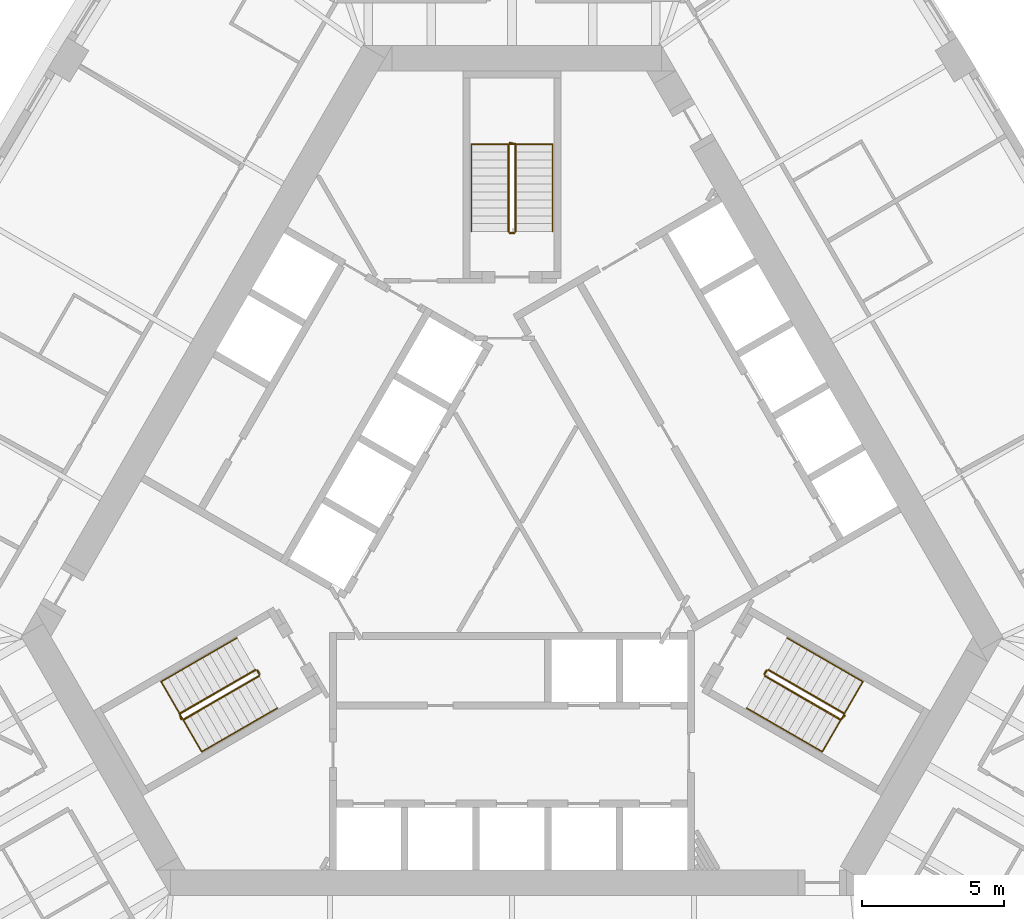
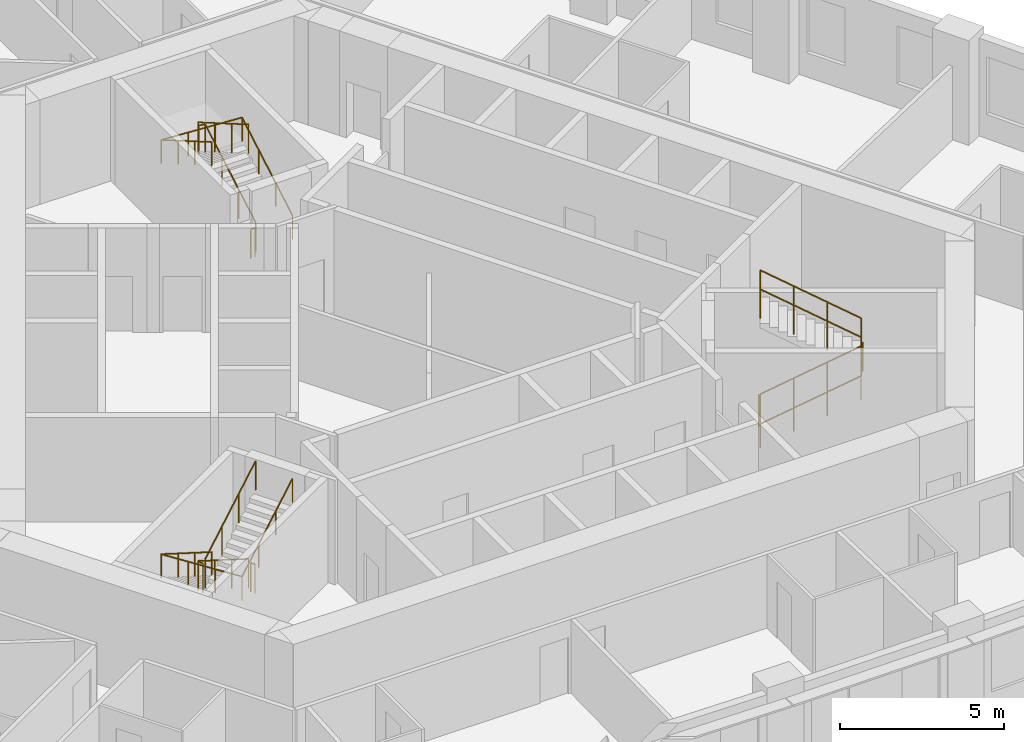
# One storey, part 12 of 12: 12 railings.
"""IFC4 building model written with IfcOpenShell, lengths in metres."""

import ifcopenshell
import ifcopenshell.guid

model = None  # the IFC model being written
_history = None  # IfcOwnerHistory: only IFC2X3 demands one
_inside = {}  # id of a spatial element -> (the spatial element, [elements in it])
_under = {}  # id of a project, library or spatial element -> (it, [spatial elements below it])
_declared = {}  # id of a project -> (the project, [libraries it declares])
_typed = {}  # id of a type object -> (the type object, [elements of that type])
_made_of = {}  # id of a material, layer set ... -> (it, [elements and type objects made of it])


def new_model(schema):
    """Start an empty IFC model of exactly this schema.

    Asked for "IFC4X3", IfcOpenShell would pick the latest addendum, in which some entities
    have other attributes; the version numbers below select the first issue.
    IFC2X3 requires an IfcOwnerHistory on every rooted entity: one is made here for all.
    """
    global model, _history
    if schema == "IFC4X3":
        model = ifcopenshell.file(schema_version=(4, 3, 0, 0))
    else:
        model = ifcopenshell.file(schema=schema)
    _inside.clear()
    _under.clear()
    _declared.clear()
    _typed.clear()
    _made_of.clear()
    _history = None
    if model.schema == "IFC2X3":
        org = make("IfcOrganization", Name="unknown")
        user = make(
            "IfcPersonAndOrganization",
            ThePerson=make("IfcPerson", FamilyName="unknown"),
            TheOrganization=org,
        )
        app = make(
            "IfcApplication",
            ApplicationDeveloper=org,
            Version="unknown",
            ApplicationFullName="unknown",
            ApplicationIdentifier="unknown",
        )
        _history = make(
            "IfcOwnerHistory",
            OwningUser=user,
            OwningApplication=app,
            ChangeAction="ADDED",
            CreationDate=0,
        )
    return model


def make(cls, **values):
    """One entity of the class cls with the attributes given. An attribute that is None is left unset."""
    return model.create_entity(
        cls, **{name: value for name, value in values.items() if value is not None}
    )


def rooted(cls, **values):
    """An entity with a GlobalId (a new one), such as an element, a storey or a relation."""
    return make(cls, GlobalId=ifcopenshell.guid.new(), OwnerHistory=_history, **values)


def si_unit(unit_type, name, prefix=None):
    """IfcSIUnit, for example si_unit("LENGTHUNIT", "METRE", prefix="MILLI")."""
    return make("IfcSIUnit", UnitType=unit_type, Prefix=prefix, Name=name)


def assignment(units):
    """IfcUnitAssignment: the units of a project."""
    return None if units is None else make("IfcUnitAssignment", Units=units)


def point(xyz):
    """IfcCartesianPoint."""
    return None if xyz is None else make("IfcCartesianPoint", Coordinates=xyz)


def direction(xyz):
    """IfcDirection."""
    return None if xyz is None else make("IfcDirection", DirectionRatios=xyz)


def frame(location, z_axis=None, x_axis=None):
    """IfcAxis2Placement3D, a coordinate frame: its origin and axes. An axis left out is left unset."""
    return make(
        "IfcAxis2Placement3D",
        Location=point(location),
        Axis=direction(z_axis),
        RefDirection=direction(x_axis),
    )


def frame_2d(location, x_axis=None):
    """IfcAxis2Placement2D, a coordinate frame in the plane: its origin and x axis."""
    return make(
        "IfcAxis2Placement2D", Location=point(location), RefDirection=direction(x_axis)
    )


def origin():
    """The frame at (0, 0, 0) with its axes left unset."""
    return frame((0.0, 0.0, 0.0))


def origin_2d():
    """The frame at (0, 0) in the plane with its x axis left unset."""
    return frame_2d((0.0, 0.0))


def place(relative_to, where):
    """IfcLocalPlacement: puts the frame where relative to a parent placement (None: the world)."""
    return make(
        "IfcLocalPlacement", PlacementRelTo=relative_to, RelativePlacement=where
    )


def context(
    kind, dimensions, precision=None, world=None, true_north=None, identifier=None
):
    """IfcGeometricRepresentationContext, for example the 3D "Model" context."""
    return make(
        "IfcGeometricRepresentationContext",
        ContextIdentifier=identifier,
        ContextType=kind,
        CoordinateSpaceDimension=dimensions,
        Precision=precision,
        WorldCoordinateSystem=world,
        TrueNorth=true_north,
    )


def subcontext(parent, identifier, kind, view, scale=None):
    """IfcGeometricRepresentationSubContext, for example "Body" below "Model"."""
    return make(
        "IfcGeometricRepresentationSubContext",
        ContextIdentifier=identifier,
        ContextType=kind,
        ParentContext=parent,
        TargetScale=scale,
        TargetView=view,
    )


def project(units=None, contexts=None):
    """IfcProject with its units and contexts."""
    return rooted(
        "IfcProject",
        Name="project",
        RepresentationContexts=contexts,
        UnitsInContext=assignment(units),
    )


def spatial(cls, under=None, at=None, **own):
    """A site, building, storey or space (cls), placed at a placement, below another one or the project."""
    s = rooted(cls, ObjectPlacement=at, **own)
    if under is not None:
        _under.setdefault(under.id(), (under, []))[1].append(s)
    return s


def profile(cls, at=None, kind="AREA", **sizes):
    """A parametric profile (cls). Its sizes go by their IFC names, for example OverallWidth=200.0."""
    return make(cls, ProfileType=kind, Position=at, **sizes)


def circle(**sizes):
    """IfcCircleProfileDef."""
    return profile("IfcCircleProfileDef", **sizes)


def extrude(swept, where, along, depth):
    """IfcExtrudedAreaSolid: the profile swept, set in the frame where, extruded along a direction by depth."""
    return make(
        "IfcExtrudedAreaSolid",
        SweptArea=swept,
        Position=where,
        ExtrudedDirection=direction(along),
        Depth=depth,
    )


def shape(context_of_items, identifier, shape_type, items):
    """IfcShapeRepresentation: the items that make up one representation, for example the "Body"."""
    return make(
        "IfcShapeRepresentation",
        ContextOfItems=context_of_items,
        RepresentationIdentifier=identifier,
        RepresentationType=shape_type,
        Items=items,
    )


def material(Name=None, Category=None):
    """IfcMaterial."""
    return make("IfcMaterial", Name=Name, Category=Category)


def made_of(thing, what):
    """Note that an element or type object is made of a material, layer set ...; save() writes the relation."""
    if what is not None:
        _made_of.setdefault(what.id(), (what, []))[1].append(thing)
    return thing


def type_object(cls, material=None, **own):
    """A type object (cls), such as IfcWallType, which elements share."""
    return made_of(rooted(cls, **own), material)


def element(
    cls,
    number,
    at=None,
    inside=None,
    cuts=None,
    type_object=None,
    material=None,
    context=None,
    identifier="Body",
    shape_type=None,
    held_by="IfcProductDefinitionShape",
    body=None,
    shapes=None,
    **own,
):
    """One element of the class cls, such as IfcWall. Its Tag is "e" and its number.

    at: its placement. inside: the storey or other place that contains it. cuts: it is an
    opening in that element (IfcRelVoidsElement). A single representation is given by context,
    identifier, shape_type and body (its items); several are given by shapes. held_by: the class
    of the entity that holds the representations. save() writes the other relations.
    """
    e = rooted(cls, Tag="e%d" % number, ObjectPlacement=at, **own)
    if body is not None:
        shapes = [shape(context, identifier, shape_type, body)]
    if shapes is not None:
        e.Representation = make(held_by, Representations=shapes)
    if inside is not None:
        _inside.setdefault(inside.id(), (inside, []))[1].append(e)
    if cuts is not None:
        rooted(
            "IfcRelVoidsElement", RelatingBuildingElement=cuts, RelatedOpeningElement=e
        )
    if type_object is not None:
        _typed.setdefault(type_object.id(), (type_object, []))[1].append(e)
    return made_of(e, material)


def aggregate(whole, parts):
    """IfcRelAggregates: a whole, such as a stair, and the parts it consists of."""
    return rooted("IfcRelAggregates", RelatingObject=whole, RelatedObjects=parts)


def save(model, path):
    """Write the relations noted so far, then the file.

    IfcRelAggregates (storeys below a building ...), IfcRelContainedInSpatialStructure (elements
    in a storey), IfcRelDefinesByType, IfcRelAssociatesMaterial and IfcRelDeclares: one each for
    every whole, place, type object, material and project.
    """
    for whole, parts in _under.values():
        aggregate(whole, parts)
    for where, things in _inside.values():
        rooted(
            "IfcRelContainedInSpatialStructure",
            RelatedElements=things,
            RelatingStructure=where,
        )
    for kind, things in _typed.values():
        rooted("IfcRelDefinesByType", RelatedObjects=things, RelatingType=kind)
    for what, things in _made_of.values():
        rooted("IfcRelAssociatesMaterial", RelatedObjects=things, RelatingMaterial=what)
    for by, libraries in _declared.values():
        rooted("IfcRelDeclares", RelatingContext=by, RelatedDefinitions=libraries)
    model.write(path)


model = new_model("IFC4")

# Units and contexts
model_context = context("Model", 3, precision=1e-05, world=origin(), true_north=direction((0.0, 1.0)))
body_context = subcontext(model_context, "Body", "Model", "MODEL_VIEW")
ifc_project = project(units=[si_unit("LENGTHUNIT", "METRE"), si_unit("AREAUNIT", "SQUARE_METRE"), si_unit("VOLUMEUNIT", "CUBIC_METRE"), si_unit("PLANEANGLEUNIT", "RADIAN"), si_unit("MASSUNIT", "GRAM", prefix="KILO")], contexts=[model_context])

# Site, building, storey
site_placement = place(None, origin())
site = spatial("IfcSite", under=ifc_project, at=site_placement, CompositionType="ELEMENT")
building_placement = place(site_placement, origin())
building = spatial("IfcBuilding", under=site, at=building_placement, Name="Mestral Congress Tower", CompositionType="ELEMENT")
storey_placement = place(building_placement, frame((0.0, 0.0, 122.699951171875)))
storey = spatial("IfcBuildingStorey", under=building, at=storey_placement, Name="L29", CompositionType="ELEMENT", Elevation=122.699951171875)

# Railings
ifc_material_1 = material(Name="Steel balustrade", Category="steel")
railing_type_1 = type_object("IfcRailingType", Name="Stair guard 1100", PredefinedType="GUARDRAIL", material=ifc_material_1)
railing_1_placement = place(storey_placement, frame((8.90087890625, -5.283203125, 0.16259765625)))
element("IfcRailing", 1, at=railing_1_placement, inside=storey, type_object=railing_type_1, Name="L29 ST1 stair guard 1", PredefinedType="GUARDRAIL", context=body_context, shape_type="SweptSolid", body=[
    extrude(circle(Radius=0.02392578125, at=origin_2d()), frame((0.0, 0.0, 1.076171875), z_axis=(0.749019742845, -0.432477486304, 0.501928927906), x_axis=(0.500026652407, 0.866010015463, 0.0)), (0.0, 0.0, 1.0), 3.56103515625),
    extrude(circle(Radius=0.02392578125, at=origin_2d()), frame((2.667236328125, -1.5400390625, 2.86328125), z_axis=(0.695164929852, 0.718850276695, 0.0), x_axis=(-0.718850276695, 0.695164929852, 0.0)), (0.0, 0.0, 1.0), 0.2060546875),
    extrude(circle(Radius=0.02099609375, at=origin_2d()), origin(), (0.0, 0.0, 1.0), 1.052001953125),
    extrude(circle(Radius=0.02099609375, at=origin_2d()), frame((0.88916015625, -0.513427734375, 0.595703125)), (0.0, 0.0, 1.0), 1.052001953125),
    extrude(circle(Radius=0.02099609375, at=origin_2d()), frame((1.778076171875, -1.026611328125, 1.191650390625)), (0.0, 0.0, 1.0), 1.052001953125),
    extrude(circle(Radius=0.02099609375, at=origin_2d()), frame((2.667236328125, -1.5400390625, 1.787353515625)), (0.0, 0.0, 1.0), 1.052001953125),
    extrude(circle(Radius=0.02099609375, at=origin_2d()), frame((2.810546875, -1.391845703125, 1.787353515625)), (0.0, 0.0, 1.0), 1.052001953125),
])
railing_2_placement = place(storey_placement, frame((11.693115234375, -6.606689453125, 2.112548828125)))
element("IfcRailing", 2, at=railing_2_placement, inside=storey, type_object=railing_type_1, Name="L29 ST1 stair guard 2", PredefinedType="GUARDRAIL", context=body_context, shape_type="SweptSolid", body=[
    extrude(circle(Radius=0.02392578125, at=origin_2d()), frame((0.0, 0.0, 1.076171875), z_axis=(-0.748993966903, 0.432462603499, 0.501980212875), x_axis=(-0.500026652407, -0.866010015463, 0.0)), (0.0, 0.0, 1.0), 3.56103515625),
    extrude(circle(Radius=0.02099609375, at=origin_2d()), origin(), (0.0, 0.0, 1.0), 1.052001953125),
    extrude(circle(Radius=0.02099609375, at=origin_2d()), frame((-0.88916015625, 0.513427734375, 0.595947265625)), (0.0, 0.0, 1.0), 1.052001953125),
    extrude(circle(Radius=0.02099609375, at=origin_2d()), frame((-1.778076171875, 1.026611328125, 1.191650390625)), (0.0, 0.0, 1.0), 1.052001953125),
    extrude(circle(Radius=0.02099609375, at=origin_2d()), frame((-2.667236328125, 1.5400390625, 1.78759765625)), (0.0, 0.0, 1.0), 1.052001953125),
])
railing_3_placement = place(storey_placement, frame((8.882568359375, -5.21484375, 0.0)))
element("IfcRailing", 3, at=railing_3_placement, inside=storey, type_object=railing_type_1, Name="L29 ST1 stair guard 3", PredefinedType="GUARDRAIL", context=body_context, shape_type="SweptSolid", body=[
    extrude(circle(Radius=0.02392578125, at=origin_2d()), frame((0.0, 0.0, 1.076171875), z_axis=(0.499816412211, 0.866131372301, 0.0), x_axis=(-0.866131372301, 0.499816412211, 0.0)), (0.0, 0.0, 1.0), 0.14990234375),
    extrude(circle(Radius=0.02099609375, at=origin_2d()), origin(), (0.0, 0.0, 1.0), 1.052001953125),
    extrude(circle(Radius=0.02099609375, at=origin_2d()), frame((0.074951171875, 0.1298828125, 0.0)), (0.0, 0.0, 1.0), 1.052001953125),
])
railing_4_placement = place(storey_placement, frame((0.125, 10.35009765625, 0.16259765625)))
element("IfcRailing", 4, at=railing_4_placement, inside=storey, type_object=railing_type_1, Name="L29 ST2 stair guard 1", PredefinedType="GUARDRAIL", context=body_context, shape_type="SweptSolid", body=[
    extrude(circle(Radius=0.02392578125, at=origin_2d()), frame((0.0, 0.0, 1.076171875), z_axis=(0.0, 0.864903211148, 0.501938676878), x_axis=(-1.0, 0.0, 0.0)), (0.0, 0.0, 1.0), 3.560791015625),
    extrude(circle(Radius=0.02392578125, at=origin_2d()), frame((0.0, 3.079833984375, 2.86328125), z_axis=(-0.970072785993, 0.242814311512, 0.0), x_axis=(-0.242814311512, -0.970072785993, 0.0)), (0.0, 0.0, 1.0), 0.2060546875),
    extrude(circle(Radius=0.02099609375, at=origin_2d()), origin(), (0.0, 0.0, 1.0), 1.052001953125),
    extrude(circle(Radius=0.02099609375, at=origin_2d()), frame((0.0, 1.026611328125, 0.595703125)), (0.0, 0.0, 1.0), 1.052001953125),
    extrude(circle(Radius=0.02099609375, at=origin_2d()), frame((0.0, 2.05322265625, 1.191650390625)), (0.0, 0.0, 1.0), 1.052001953125),
    extrude(circle(Radius=0.02099609375, at=origin_2d()), frame((0.0, 3.079833984375, 1.787353515625)), (0.0, 0.0, 1.0), 1.052001953125),
    extrude(circle(Radius=0.02099609375, at=origin_2d()), frame((-0.199951171875, 3.1298828125, 1.787353515625)), (0.0, 0.0, 1.0), 1.052001953125),
])
railing_5_placement = place(storey_placement, frame((-0.125, 13.429931640625, 2.112548828125)))
element("IfcRailing", 5, at=railing_5_placement, inside=storey, type_object=railing_type_1, Name="L29 ST2 stair guard 2", PredefinedType="GUARDRAIL", context=body_context, shape_type="SweptSolid", body=[
    extrude(circle(Radius=0.02392578125, at=origin_2d()), frame((0.0, 0.0, 1.076171875), z_axis=(0.0, -0.864873446163, 0.501989962173), x_axis=(1.0, 0.0, 0.0)), (0.0, 0.0, 1.0), 3.56103515625),
    extrude(circle(Radius=0.02099609375, at=origin_2d()), origin(), (0.0, 0.0, 1.0), 1.052001953125),
    extrude(circle(Radius=0.02099609375, at=origin_2d()), frame((0.0, -1.026611328125, 0.595947265625)), (0.0, 0.0, 1.0), 1.052001953125),
    extrude(circle(Radius=0.02099609375, at=origin_2d()), frame((0.0, -2.05322265625, 1.191650390625)), (0.0, 0.0, 1.0), 1.052001953125),
    extrude(circle(Radius=0.02099609375, at=origin_2d()), frame((0.0, -3.079833984375, 1.78759765625)), (0.0, 0.0, 1.0), 1.052001953125),
])
railing_6_placement = place(storey_placement, frame((0.074951171875, 10.300048828125, 0.0)))
element("IfcRailing", 6, at=railing_6_placement, inside=storey, type_object=railing_type_1, Name="L29 ST2 stair guard 3", PredefinedType="GUARDRAIL", context=body_context, shape_type="SweptSolid", body=[
    extrude(circle(Radius=0.02392578125, at=origin_2d()), frame((0.0, 0.0, 1.076171875), z_axis=(-1.0, 0.0, 0.0), x_axis=(0.0, -1.0, 0.0)), (0.0, 0.0, 1.0), 0.14990234375),
    extrude(circle(Radius=0.02099609375, at=origin_2d()), origin(), (0.0, 0.0, 1.0), 1.052001953125),
    extrude(circle(Radius=0.02099609375, at=origin_2d()), frame((-0.14990234375, 0.0, 0.0)), (0.0, 0.0, 1.0), 1.052001953125),
])
railing_7_placement = place(storey_placement, frame((-9.02587890625, -5.066650390625, 0.16259765625)))
element("IfcRailing", 7, at=railing_7_placement, inside=storey, type_object=railing_type_1, Name="L29 ST3 stair guard 1", PredefinedType="GUARDRAIL", context=body_context, shape_type="SweptSolid", body=[
    extrude(circle(Radius=0.02392578125, at=origin_2d()), frame((0.0, 0.0, 1.076171875), z_axis=(-0.749019742845, -0.432477486304, 0.501928927906), x_axis=(0.500026652407, -0.866010015463, 0.0)), (0.0, 0.0, 1.0), 3.56103515625),
    extrude(circle(Radius=0.02392578125, at=origin_2d()), frame((-2.667236328125, -1.5400390625, 2.86328125), z_axis=(0.274721127897, -0.961523947641, 0.0), x_axis=(0.961523947641, 0.274721127897, 0.0)), (0.0, 0.0, 1.0), 0.2060546875),
    extrude(circle(Radius=0.02099609375, at=origin_2d()), origin(), (0.0, 0.0, 1.0), 1.052001953125),
    extrude(circle(Radius=0.02099609375, at=origin_2d()), frame((-0.88916015625, -0.513427734375, 0.595703125)), (0.0, 0.0, 1.0), 1.052001953125),
    extrude(circle(Radius=0.02099609375, at=origin_2d()), frame((-1.778076171875, -1.026611328125, 1.191650390625)), (0.0, 0.0, 1.0), 1.052001953125),
    extrude(circle(Radius=0.02099609375, at=origin_2d()), frame((-2.667236328125, -1.5400390625, 1.787353515625)), (0.0, 0.0, 1.0), 1.052001953125),
    extrude(circle(Radius=0.02099609375, at=origin_2d()), frame((-2.610595703125, -1.73828125, 1.787353515625)), (0.0, 0.0, 1.0), 1.052001953125),
])
railing_8_placement = place(storey_placement, frame((-11.568115234375, -6.8232421875, 2.112548828125)))
element("IfcRailing", 8, at=railing_8_placement, inside=storey, type_object=railing_type_1, Name="L29 ST3 stair guard 2", PredefinedType="GUARDRAIL", context=body_context, shape_type="SweptSolid", body=[
    extrude(circle(Radius=0.02392578125, at=origin_2d()), frame((0.0, 0.0, 1.076171875), z_axis=(0.748993966903, 0.432462603499, 0.501980212875), x_axis=(-0.500026652407, 0.866010015463, 0.0)), (0.0, 0.0, 1.0), 3.56103515625),
    extrude(circle(Radius=0.02099609375, at=origin_2d()), origin(), (0.0, 0.0, 1.0), 1.052001953125),
    extrude(circle(Radius=0.02099609375, at=origin_2d()), frame((0.88916015625, 0.513427734375, 0.595947265625)), (0.0, 0.0, 1.0), 1.052001953125),
    extrude(circle(Radius=0.02099609375, at=origin_2d()), frame((1.778076171875, 1.026611328125, 1.191650390625)), (0.0, 0.0, 1.0), 1.052001953125),
    extrude(circle(Radius=0.02099609375, at=origin_2d()), frame((2.667236328125, 1.5400390625, 1.78759765625)), (0.0, 0.0, 1.0), 1.052001953125),
])
railing_9_placement = place(storey_placement, frame((-8.95751953125, -5.0849609375, 0.0)))
element("IfcRailing", 9, at=railing_9_placement, inside=storey, type_object=railing_type_1, Name="L29 ST3 stair guard 3", PredefinedType="GUARDRAIL", context=body_context, shape_type="SweptSolid", body=[
    extrude(circle(Radius=0.02392578125, at=origin_2d()), frame((0.0, 0.0, 1.076171875), z_axis=(0.499816412211, -0.866131372301, 0.0), x_axis=(0.866131372301, 0.499816412211, 0.0)), (0.0, 0.0, 1.0), 0.14990234375),
    extrude(circle(Radius=0.02099609375, at=origin_2d()), origin(), (0.0, 0.0, 1.0), 1.052001953125),
    extrude(circle(Radius=0.02099609375, at=origin_2d()), frame((0.074951171875, -0.1298828125, 0.0)), (0.0, 0.0, 1.0), 1.052001953125),
])
ifc_material_2 = material(Name="Steel handrail", Category="steel")
railing_type_2 = type_object("IfcRailingType", Name="Stair handrail 900", PredefinedType="HANDRAIL", material=ifc_material_2)
railing_10_placement = place(storey_placement, frame((8.2509765625, -6.4091796875, 0.16259765625)))
element("IfcRailing", 10, at=railing_10_placement, inside=storey, type_object=railing_type_2, Name="L29 ST1 stair handrail 1", PredefinedType="HANDRAIL", context=body_context, shape_type="SweptSolid", body=[
    extrude(circle(Radius=0.02392578125, at=origin_2d()), frame((0.0, 0.0, 0.8759765625), z_axis=(0.749041951051, -0.432421746936, 0.501943809945), x_axis=(0.499967199496, 0.866044340336, 0.0)), (0.0, 0.0, 1.0), 3.560791015625),
    extrude(circle(Radius=0.02392578125, at=origin_2d()), frame((2.667236328125, -1.539794921875, 2.6630859375), z_axis=(0.499224505807, 0.864598343191, 0.056961370716), x_axis=(-0.866004402611, 0.500036373335, 0.0)), (0.0, 0.0, 1.0), 2.8544921875),
    extrude(circle(Radius=0.02392578125, at=origin_2d()), frame((4.09228515625, 0.92822265625, 2.82568359375), z_axis=(-0.74902406201, 0.432440397507, 0.501954437309), x_axis=(-0.499992328818, -0.866029832698, 0.0)), (0.0, 0.0, 1.0), 3.561279296875),
    extrude(circle(Radius=0.02099609375, at=origin_2d()), origin(), (0.0, 0.0, 1.0), 0.851806640625),
    extrude(circle(Radius=0.02099609375, at=origin_2d()), frame((0.88916015625, -0.51318359375, 0.595703125)), (0.0, 0.0, 1.0), 0.851806640625),
    extrude(circle(Radius=0.02099609375, at=origin_2d()), frame((1.778076171875, -1.026611328125, 1.191650390625)), (0.0, 0.0, 1.0), 0.851806640625),
    extrude(circle(Radius=0.02099609375, at=origin_2d()), frame((2.667236328125, -1.539794921875, 1.787353515625)), (0.0, 0.0, 1.0), 0.851806640625),
    extrude(circle(Radius=0.02099609375, at=origin_2d()), frame((3.142333984375, -0.717041015625, 1.841552734375)), (0.0, 0.0, 1.0), 0.851806640625),
    extrude(circle(Radius=0.02099609375, at=origin_2d()), frame((3.6171875, 0.10546875, 1.895751953125)), (0.0, 0.0, 1.0), 0.851806640625),
    extrude(circle(Radius=0.02099609375, at=origin_2d()), frame((4.09228515625, 0.92822265625, 1.949951171875)), (0.0, 0.0, 1.0), 0.851806640625),
    extrude(circle(Radius=0.02099609375, at=origin_2d()), frame((3.203125, 1.441650390625, 2.5458984375)), (0.0, 0.0, 1.0), 0.851806640625),
    extrude(circle(Radius=0.02099609375, at=origin_2d()), frame((2.31396484375, 1.954833984375, 3.1416015625)), (0.0, 0.0, 1.0), 0.851806640625),
    extrude(circle(Radius=0.02099609375, at=origin_2d()), frame((1.4248046875, 2.46826171875, 3.737548828125)), (0.0, 0.0, 1.0), 0.851806640625),
])
railing_11_placement = place(storey_placement, frame((1.425048828125, 10.35009765625, 0.16259765625)))
element("IfcRailing", 11, at=railing_11_placement, inside=storey, type_object=railing_type_2, Name="L29 ST2 stair handrail 1", PredefinedType="HANDRAIL", context=body_context, shape_type="SweptSolid", body=[
    extrude(circle(Radius=0.02392578125, at=origin_2d()), frame((0.0, 0.0, 0.8759765625), z_axis=(0.0, 0.864903211148, 0.501938676878), x_axis=(-1.0, 0.0, 0.0)), (0.0, 0.0, 1.0), 3.560791015625),
    extrude(circle(Radius=0.02392578125, at=origin_2d()), frame((0.0, 3.079833984375, 2.6630859375), z_axis=(-0.998376618682, 0.0, 0.056957240709), x_axis=(0.0, -1.0, 0.0)), (0.0, 0.0, 1.0), 2.854736328125),
    extrude(circle(Radius=0.02392578125, at=origin_2d()), frame((-2.85009765625, 3.079833984375, 2.82568359375), z_axis=(0.0, -0.864873446163, 0.501989962173), x_axis=(1.0, 0.0, 0.0)), (0.0, 0.0, 1.0), 3.56103515625),
    extrude(circle(Radius=0.02099609375, at=origin_2d()), origin(), (0.0, 0.0, 1.0), 0.851806640625),
    extrude(circle(Radius=0.02099609375, at=origin_2d()), frame((0.0, 1.026611328125, 0.595703125)), (0.0, 0.0, 1.0), 0.851806640625),
    extrude(circle(Radius=0.02099609375, at=origin_2d()), frame((0.0, 2.05322265625, 1.191650390625)), (0.0, 0.0, 1.0), 0.851806640625),
    extrude(circle(Radius=0.02099609375, at=origin_2d()), frame((0.0, 3.079833984375, 1.787353515625)), (0.0, 0.0, 1.0), 0.851806640625),
    extrude(circle(Radius=0.02099609375, at=origin_2d()), frame((-0.949951171875, 3.079833984375, 1.841552734375)), (0.0, 0.0, 1.0), 0.851806640625),
    extrude(circle(Radius=0.02099609375, at=origin_2d()), frame((-1.900146484375, 3.079833984375, 1.895751953125)), (0.0, 0.0, 1.0), 0.851806640625),
    extrude(circle(Radius=0.02099609375, at=origin_2d()), frame((-2.85009765625, 3.079833984375, 1.949951171875)), (0.0, 0.0, 1.0), 0.851806640625),
    extrude(circle(Radius=0.02099609375, at=origin_2d()), frame((-2.85009765625, 2.05322265625, 2.5458984375)), (0.0, 0.0, 1.0), 0.851806640625),
    extrude(circle(Radius=0.02099609375, at=origin_2d()), frame((-2.85009765625, 1.026611328125, 3.1416015625)), (0.0, 0.0, 1.0), 0.851806640625),
    extrude(circle(Radius=0.02099609375, at=origin_2d()), frame((-2.85009765625, 0.0, 3.737548828125)), (0.0, 0.0, 1.0), 0.851806640625),
])
railing_12_placement = place(storey_placement, frame((-9.67578125, -3.94091796875, 0.16259765625)))
element("IfcRailing", 12, at=railing_12_placement, inside=storey, type_object=railing_type_2, Name="L29 ST3 stair handrail 1", PredefinedType="HANDRAIL", context=body_context, shape_type="SweptSolid", body=[
    extrude(circle(Radius=0.02392578125, at=origin_2d()), frame((0.0, 0.0, 0.8759765625), z_axis=(-0.749049836341, -0.432455278019, 0.501903153199), x_axis=(0.499992328818, -0.866029832698, 0.0)), (0.0, 0.0, 1.0), 3.56103515625),
    extrude(circle(Radius=0.02392578125, at=origin_2d()), frame((-2.66748046875, -1.5400390625, 2.6630859375), z_axis=(0.499224505807, -0.864598343191, 0.056961370716), x_axis=(0.866004402611, 0.500036373335, 0.0)), (0.0, 0.0, 1.0), 2.8544921875),
    extrude(circle(Radius=0.02392578125, at=origin_2d()), frame((-1.242431640625, -4.008056640625, 2.82568359375), z_axis=(0.749016172816, 0.432406865167, 0.50199509541), x_axis=(-0.499967199496, 0.866044340336, 0.0)), (0.0, 0.0, 1.0), 3.56103515625),
    extrude(circle(Radius=0.02099609375, at=origin_2d()), origin(), (0.0, 0.0, 1.0), 0.851806640625),
    extrude(circle(Radius=0.02099609375, at=origin_2d()), frame((-0.88916015625, -0.513427734375, 0.595703125)), (0.0, 0.0, 1.0), 0.851806640625),
    extrude(circle(Radius=0.02099609375, at=origin_2d()), frame((-1.7783203125, -1.026611328125, 1.191650390625)), (0.0, 0.0, 1.0), 0.851806640625),
    extrude(circle(Radius=0.02099609375, at=origin_2d()), frame((-2.66748046875, -1.5400390625, 1.787353515625)), (0.0, 0.0, 1.0), 0.851806640625),
    extrude(circle(Radius=0.02099609375, at=origin_2d()), frame((-2.1923828125, -2.36279296875, 1.841552734375)), (0.0, 0.0, 1.0), 0.851806640625),
    extrude(circle(Radius=0.02099609375, at=origin_2d()), frame((-1.717529296875, -3.185302734375, 1.895751953125)), (0.0, 0.0, 1.0), 0.851806640625),
    extrude(circle(Radius=0.02099609375, at=origin_2d()), frame((-1.242431640625, -4.008056640625, 1.949951171875)), (0.0, 0.0, 1.0), 0.851806640625),
    extrude(circle(Radius=0.02099609375, at=origin_2d()), frame((-0.353271484375, -3.494873046875, 2.5458984375)), (0.0, 0.0, 1.0), 0.851806640625),
    extrude(circle(Radius=0.02099609375, at=origin_2d()), frame((0.53564453125, -2.9814453125, 3.1416015625)), (0.0, 0.0, 1.0), 0.851806640625),
    extrude(circle(Radius=0.02099609375, at=origin_2d()), frame((1.4248046875, -2.46826171875, 3.737548828125)), (0.0, 0.0, 1.0), 0.851806640625),
])

save(model, "model.ifc")
